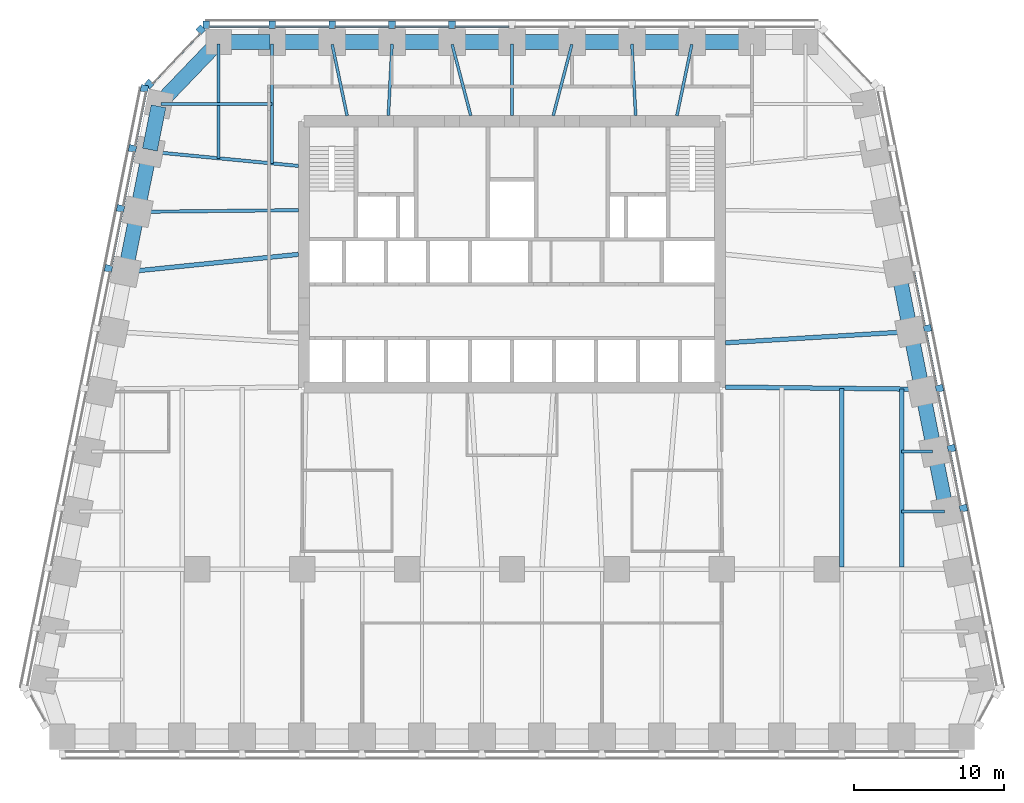
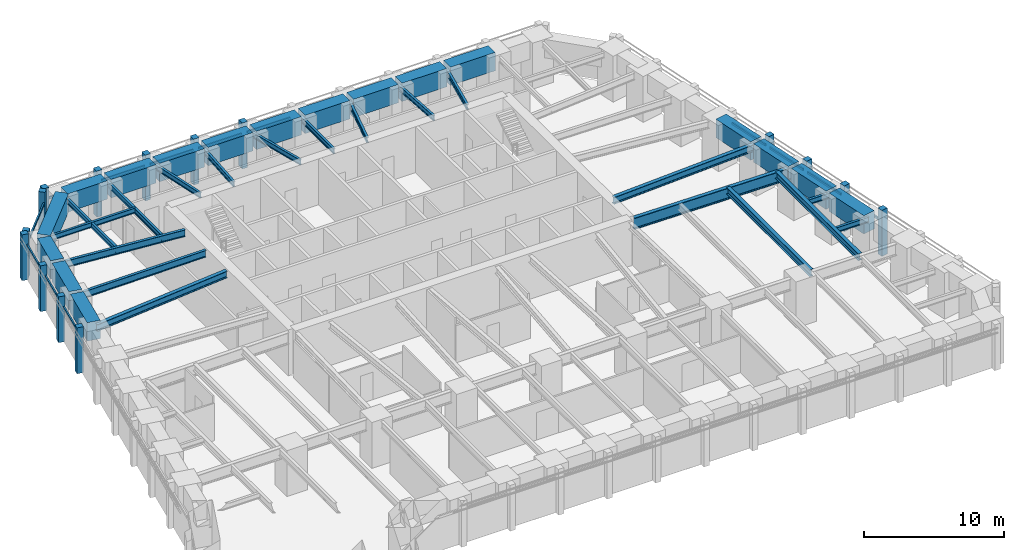
# One storey, part 3 of 9: 36 beams, 28 members, 4 elements without a shape of their own.
"""IFC4 building model written with IfcOpenShell, lengths in metres."""

from ifc_helpers import new_model, si_unit, direction, frame, origin, origin_2d, place, context, subcontext, project, spatial, rectangle, i_section, extrude, material, material_profile, profile_set, type_object, element, aggregate, save


model = new_model("IFC4")

# Units and contexts
model_context = context("Model", 3, precision=1e-05, world=origin(), true_north=direction((0.0, 1.0)))
body_context = subcontext(model_context, "Body", "Model", "MODEL_VIEW")
ifc_project = project(units=[si_unit("LENGTHUNIT", "METRE"), si_unit("AREAUNIT", "SQUARE_METRE"), si_unit("VOLUMEUNIT", "CUBIC_METRE"), si_unit("PLANEANGLEUNIT", "RADIAN"), si_unit("MASSUNIT", "GRAM", prefix="KILO")], contexts=[model_context])

# Site, building, storey
site_placement = place(None, origin())
site = spatial("IfcSite", under=ifc_project, at=site_placement, CompositionType="ELEMENT")
building_placement = place(site_placement, origin())
building = spatial("IfcBuilding", under=site, at=building_placement, Name="Isbrekke Arena Tower", CompositionType="ELEMENT")
storey_placement = place(building_placement, frame((0.0, 0.0, 131.0)))
storey = spatial("IfcBuildingStorey", under=building, at=storey_placement, Name="L29", CompositionType="ELEMENT", Elevation=131.0)

# Beams
ifc_material_1 = material(Name="Steel S355", Category="steel")
ifc_material_profile_1 = material_profile(ifc_material_1, i_section(OverallWidth=0.219970703125, OverallDepth=0.60009765625, WebThickness=0.011962890625, FlangeThickness=0.01904296875, FilletRadius=0.02392578125, at=origin_2d()), Name="IPE 600")
ifc_profile_set_1 = profile_set([ifc_material_profile_1], Name="Steel S355")
beam_type_1 = type_object("IfcBeamType", Name="B1 IPE 600", PredefinedType="BEAM", material=ifc_profile_set_1)
beam_1_placement = place(storey_placement, frame((-24.030517578125, 21.837158203125, 3.550048828125), z_axis=(0.995439798606, -0.095391862082, 0.0), x_axis=(0.095391862082, 0.995439798606, 0.0)))
element("IfcBeam", 1, at=beam_1_placement, inside=storey, type_object=beam_type_1, Name="B1 beam E-W02 L29", PredefinedType="BEAM", context=body_context, shape_type="SweptSolid", body=[
    extrude(i_section(OverallWidth=0.219970703125, OverallDepth=0.60009765625, WebThickness=0.011962890625, FlangeThickness=0.01904296875, FilletRadius=0.02392578125, at=origin_2d()), origin(), (0.0, 0.0, 1.0), 9.825439453125),
])
beam_2_placement = place(storey_placement, frame((-24.83984375, 17.838134765625, 3.550048828125), z_axis=(0.999944260169, 0.010558245831, 0.0), x_axis=(-0.010558245831, 0.999944260169, 0.0)))
element("IfcBeam", 2, at=beam_2_placement, inside=storey, type_object=beam_type_1, Name="B1 beam E-W03 L29", PredefinedType="BEAM", context=body_context, shape_type="SweptSolid", body=[
    extrude(i_section(OverallWidth=0.219970703125, OverallDepth=0.60009765625, WebThickness=0.011962890625, FlangeThickness=0.01904296875, FilletRadius=0.02392578125, at=origin_2d()), origin(), (0.0, 0.0, 1.0), 10.59033203125),
])
ifc_material_2 = material(Name="Steel S355", Category="steel")
ifc_material_profile_2 = material_profile(ifc_material_2, i_section(OverallWidth=0.18994140625, OverallDepth=0.449951171875, WebThickness=0.009521484375, FlangeThickness=0.0146484375, FilletRadius=0.02099609375, at=origin_2d()), Name="IPE 450")
ifc_profile_set_2 = profile_set([ifc_material_profile_2], Name="Steel S355")
beam_type_2 = type_object("IfcBeamType", Name="B2 IPE 450", PredefinedType="BEAM", material=ifc_profile_set_2)
beam_3_placement = place(storey_placement, frame((28.841064453125, -2.161865234375, 3.625), z_axis=(-1.0, 0.0, 0.0), x_axis=(0.0, -1.0, 0.0)))
element("IfcBeam", 3, at=beam_3_placement, inside=storey, type_object=beam_type_2, Name="B2 beam E-E04 L29", PredefinedType="BEAM", context=body_context, shape_type="SweptSolid", body=[
    extrude(i_section(OverallWidth=0.18994140625, OverallDepth=0.449951171875, WebThickness=0.009521484375, FlangeThickness=0.0146484375, FilletRadius=0.02099609375, at=origin_2d()), origin(), (0.0, 0.0, 1.0), 2.841064453125),
])
beam_4_placement = place(storey_placement, frame((28.041015625, 1.838134765625, 3.625), z_axis=(-1.0, 0.0, 0.0), x_axis=(0.0, -1.0, 0.0)))
element("IfcBeam", 4, at=beam_4_placement, inside=storey, type_object=beam_type_2, Name="B2 beam E-E05 L29", PredefinedType="BEAM", context=body_context, shape_type="SweptSolid", body=[
    extrude(i_section(OverallWidth=0.18994140625, OverallDepth=0.449951171875, WebThickness=0.009521484375, FlangeThickness=0.0146484375, FilletRadius=0.02099609375, at=origin_2d()), origin(), (0.0, 0.0, 1.0), 2.041015625),
])
beam_5_placement = place(storey_placement, frame((-23.40283203125, 25.029296875, 3.625), z_axis=(1.0, 0.0, 0.0), x_axis=(0.0, 1.0, 0.0)))
element("IfcBeam", 5, at=beam_5_placement, inside=storey, type_object=beam_type_2, Name="B2 beam E-W01 L29", PredefinedType="BEAM", context=body_context, shape_type="SweptSolid", body=[
    extrude(i_section(OverallWidth=0.18994140625, OverallDepth=0.449951171875, WebThickness=0.009521484375, FlangeThickness=0.0146484375, FilletRadius=0.02099609375, at=origin_2d()), origin(), (0.0, 0.0, 1.0), 7.40283203125),
])
ifc_material_3 = material(Name="Steel S355", Category="steel")
ifc_material_profile_3 = material_profile(ifc_material_3, i_section(OverallWidth=0.18994140625, OverallDepth=0.449951171875, WebThickness=0.009521484375, FlangeThickness=0.0146484375, FilletRadius=0.02099609375, at=origin_2d()), Name="IPE 450")
ifc_profile_set_3 = profile_set([ifc_material_profile_3], Name="Steel S355")
beam_type_3 = type_object("IfcBeamType", Name="B3 IPE 450", PredefinedType="BEAM", material=ifc_profile_set_3)
beam_6_placement = place(storey_placement, frame((-16.0, 29.02490234375, 3.625), z_axis=(0.0, -1.0, 0.0), x_axis=(1.0, 0.0, 0.0)))
element("IfcBeam", 6, at=beam_6_placement, inside=storey, type_object=beam_type_3, Name="B3 beam N-N10 L29", PredefinedType="BEAM", context=body_context, shape_type="SweptSolid", body=[
    extrude(i_section(OverallWidth=0.18994140625, OverallDepth=0.449951171875, WebThickness=0.009521484375, FlangeThickness=0.0146484375, FilletRadius=0.02099609375, at=origin_2d()), origin(), (0.0, 0.0, 1.0), 7.957275390625),
])
beam_7_placement = place(storey_placement, frame((-19.574951171875, 29.02490234375, 3.625), z_axis=(0.0, -1.0, 0.0), x_axis=(1.0, 0.0, 0.0)))
element("IfcBeam", 7, at=beam_7_placement, inside=storey, type_object=beam_type_3, Name="B3 beam N-N11 L29", PredefinedType="BEAM", context=body_context, shape_type="SweptSolid", body=[
    extrude(i_section(OverallWidth=0.18994140625, OverallDepth=0.449951171875, WebThickness=0.009521484375, FlangeThickness=0.0146484375, FilletRadius=0.02099609375, at=origin_2d()), origin(), (0.0, 0.0, 1.0), 7.61474609375),
])
beam_8_placement = place(storey_placement, frame((11.99609375, 29.005859375, 3.625), z_axis=(-0.20499748459, -0.978762499952, 0.0), x_axis=(0.978762499952, -0.20499748459, 0.0)))
element("IfcBeam", 8, at=beam_8_placement, inside=storey, type_object=beam_type_3, Name="B3 beam N-N03 L29", PredefinedType="BEAM", context=body_context, shape_type="SweptSolid", body=[
    extrude(i_section(OverallWidth=0.18994140625, OverallDepth=0.449951171875, WebThickness=0.009521484375, FlangeThickness=0.0146484375, FilletRadius=0.02099609375, at=origin_2d()), origin(), (0.0, 0.0, 1.0), 4.859130859375),
])
beam_9_placement = place(storey_placement, frame((8.000244140625, 29.02001953125, 3.625), z_axis=(0.052287879538, -0.998632053187, 0.0), x_axis=(0.998632053187, 0.052287879538, 0.0)))
element("IfcBeam", 9, at=beam_9_placement, inside=storey, type_object=beam_type_3, Name="B3 beam N-N04 L29", PredefinedType="BEAM", context=body_context, shape_type="SweptSolid", body=[
    extrude(i_section(OverallWidth=0.18994140625, OverallDepth=0.449951171875, WebThickness=0.009521484375, FlangeThickness=0.0146484375, FilletRadius=0.02099609375, at=origin_2d()), origin(), (0.0, 0.0, 1.0), 4.776611328125),
])
beam_10_placement = place(storey_placement, frame((3.993896484375, 29.001708984375, 3.625), z_axis=(-0.253245319824, -0.967402092197, 0.0), x_axis=(0.967402092197, -0.253245319824, 0.0)))
element("IfcBeam", 10, at=beam_10_placement, inside=storey, type_object=beam_type_3, Name="B3 beam N-N05 L29", PredefinedType="BEAM", context=body_context, shape_type="SweptSolid", body=[
    extrude(i_section(OverallWidth=0.18994140625, OverallDepth=0.449951171875, WebThickness=0.009521484375, FlangeThickness=0.0146484375, FilletRadius=0.02099609375, at=origin_2d()), origin(), (0.0, 0.0, 1.0), 4.911865234375),
])
beam_11_placement = place(storey_placement, frame((0.0, 29.02490234375, 3.625), z_axis=(0.0, -1.0, 0.0), x_axis=(1.0, 0.0, 0.0)))
element("IfcBeam", 11, at=beam_11_placement, inside=storey, type_object=beam_type_3, Name="B3 beam N-N06 L29", PredefinedType="BEAM", context=body_context, shape_type="SweptSolid", body=[
    extrude(i_section(OverallWidth=0.18994140625, OverallDepth=0.449951171875, WebThickness=0.009521484375, FlangeThickness=0.0146484375, FilletRadius=0.02099609375, at=origin_2d()), origin(), (0.0, 0.0, 1.0), 4.77490234375),
])
beam_12_placement = place(storey_placement, frame((-3.993896484375, 29.001708984375, 3.625), z_axis=(0.253245319824, -0.967402092197, 0.0), x_axis=(0.967402092197, 0.253245319824, 0.0)))
element("IfcBeam", 12, at=beam_12_placement, inside=storey, type_object=beam_type_3, Name="B3 beam N-N07 L29", PredefinedType="BEAM", context=body_context, shape_type="SweptSolid", body=[
    extrude(i_section(OverallWidth=0.18994140625, OverallDepth=0.449951171875, WebThickness=0.009521484375, FlangeThickness=0.0146484375, FilletRadius=0.02099609375, at=origin_2d()), origin(), (0.0, 0.0, 1.0), 4.911865234375),
])
beam_13_placement = place(storey_placement, frame((-8.000244140625, 29.02001953125, 3.625), z_axis=(-0.052287879538, -0.998632053187, 0.0), x_axis=(0.998632053187, -0.052287879538, 0.0)))
element("IfcBeam", 13, at=beam_13_placement, inside=storey, type_object=beam_type_3, Name="B3 beam N-N08 L29", PredefinedType="BEAM", context=body_context, shape_type="SweptSolid", body=[
    extrude(i_section(OverallWidth=0.18994140625, OverallDepth=0.449951171875, WebThickness=0.009521484375, FlangeThickness=0.0146484375, FilletRadius=0.02099609375, at=origin_2d()), origin(), (0.0, 0.0, 1.0), 4.776611328125),
])
beam_14_placement = place(storey_placement, frame((-11.99609375, 29.005859375, 3.625), z_axis=(0.20499748459, -0.978762499952, 0.0), x_axis=(0.978762499952, 0.20499748459, 0.0)))
element("IfcBeam", 14, at=beam_14_placement, inside=storey, type_object=beam_type_3, Name="B3 beam N-N09 L29", PredefinedType="BEAM", context=body_context, shape_type="SweptSolid", body=[
    extrude(i_section(OverallWidth=0.18994140625, OverallDepth=0.449951171875, WebThickness=0.009521484375, FlangeThickness=0.0146484375, FilletRadius=0.02099609375, at=origin_2d()), origin(), (0.0, 0.0, 1.0), 4.859130859375),
])
ifc_material_4 = material(Name="Steel S355", Category="steel")
ifc_material_profile_4 = material_profile(ifc_material_4, i_section(OverallWidth=0.300048828125, OverallDepth=0.60009765625, WebThickness=0.015380859375, FlangeThickness=0.030029296875, FilletRadius=0.027099609375, at=origin_2d()), Name="HEB 600")
ifc_profile_set_4 = profile_set([ifc_material_profile_4], Name="Steel S355")
beam_type_4 = type_object("IfcBeamType", Name="B7 HEB 600", PredefinedType="BEAM", material=ifc_profile_set_4)
beam_15_placement = place(storey_placement, frame((22.0, -5.84912109375, 3.550048828125), z_axis=(0.0, 1.0, 0.0), x_axis=(-1.0, 0.0, 0.0)))
element("IfcBeam", 15, at=beam_15_placement, inside=storey, type_object=beam_type_4, Name="B7 beam C-M13 L29", PredefinedType="BEAM", context=body_context, shape_type="SweptSolid", body=[
    extrude(i_section(OverallWidth=0.300048828125, OverallDepth=0.60009765625, WebThickness=0.015380859375, FlangeThickness=0.030029296875, FilletRadius=0.027099609375, at=origin_2d()), origin(), (0.0, 0.0, 1.0), 11.91064453125),
])
beam_16_placement = place(storey_placement, frame((26.0, -5.84912109375, 3.550048828125), z_axis=(0.0, 1.0, 0.0), x_axis=(-1.0, 0.0, 0.0)))
element("IfcBeam", 16, at=beam_16_placement, inside=storey, type_object=beam_type_4, Name="B7 beam C-M14 L29", PredefinedType="BEAM", context=body_context, shape_type="SweptSolid", body=[
    extrude(i_section(OverallWidth=0.300048828125, OverallDepth=0.60009765625, WebThickness=0.015380859375, FlangeThickness=0.030029296875, FilletRadius=0.027099609375, at=origin_2d()), origin(), (0.0, 0.0, 1.0), 11.864990234375),
])
beam_17_placement = place(storey_placement, frame((26.431884765625, 9.837646484375, 3.550048828125), z_axis=(-0.998172191876, -0.060434057993, 0.0), x_axis=(0.060434057993, -0.998172191876, 0.0)))
element("IfcBeam", 17, at=beam_17_placement, inside=storey, type_object=beam_type_4, Name="B7 beam E-E07 L29", PredefinedType="BEAM", context=body_context, shape_type="SweptSolid", body=[
    extrude(i_section(OverallWidth=0.300048828125, OverallDepth=0.60009765625, WebThickness=0.015380859375, FlangeThickness=0.030029296875, FilletRadius=0.027099609375, at=origin_2d()), origin(), (0.0, 0.0, 1.0), 12.2041015625),
])
beam_18_placement = place(storey_placement, frame((-25.6259765625, 13.83984375, 3.550048828125), z_axis=(0.994839949319, 0.10145676537, 0.0), x_axis=(-0.10145676537, 0.994839949319, 0.0)))
element("IfcBeam", 18, at=beam_18_placement, inside=storey, type_object=beam_type_4, Name="B7 beam E-W04 L29", PredefinedType="BEAM", context=body_context, shape_type="SweptSolid", body=[
    extrude(i_section(OverallWidth=0.300048828125, OverallDepth=0.60009765625, WebThickness=0.015380859375, FlangeThickness=0.030029296875, FilletRadius=0.027099609375, at=origin_2d()), origin(), (0.0, 0.0, 1.0), 11.43505859375),
])

# Curtain wall, members
ifc_material_5 = material(Name="Glazed aluminium curtain wall", Category="aluminium")
curtain_wall_type = type_object("IfcCurtainWallType", Name="CWM TOWER CURTAIN WALL MID ZONE", PredefinedType="USERDEFINED", material=ifc_material_5)
curtain_wall_1_placement = place(storey_placement, origin())
curtain_wall_1 = element("IfcCurtainWall", 19, at=curtain_wall_1_placement, inside=storey, type_object=curtain_wall_type, Name="CWM curtain wall L29-E", ObjectType="TOWER CURTAIN WALL MID ZONE", PredefinedType="USERDEFINED")
ifc_material_6 = material(Name="Aluminium mullion, pale brick slip cladding", Category="masonry")
ifc_material_profile_5 = material_profile(ifc_material_6, rectangle(XDim=0.449951171875, YDim=0.5, at=origin_2d()), Name="PIER 450X500")
ifc_profile_set_5 = profile_set([ifc_material_profile_5], Name="Aluminium mullion, pale brick slip cladding")
member_type_1 = type_object("IfcMemberType", Name="CWM-M PIER MULLION 450 x 500", PredefinedType="MULLION", material=ifc_profile_set_5)
member_1_placement = place(storey_placement, frame((30.11865234375, -1.936279296875, 0.0), z_axis=(0.0, 0.0, 1.0), x_axis=(-0.196116135138, 0.980580675691, 0.0)))
member_1 = element("IfcMember", 20, at=member_1_placement, type_object=member_type_1, Name="CWM-M mullion 4", PredefinedType="MULLION", context=body_context, shape_type="SweptSolid", body=[
    extrude(rectangle(XDim=0.449951171875, YDim=0.5, at=origin_2d()), origin(), (0.0, 0.0, 1.0), 4.0),
])
member_2_placement = place(storey_placement, frame((29.318603515625, 2.063720703125, 0.0), z_axis=(0.0, 0.0, 1.0), x_axis=(-0.196116135138, 0.980580675691, 0.0)))
member_2 = element("IfcMember", 21, at=member_2_placement, type_object=member_type_1, Name="CWM-M mullion 5", PredefinedType="MULLION", context=body_context, shape_type="SweptSolid", body=[
    extrude(rectangle(XDim=0.449951171875, YDim=0.5, at=origin_2d()), origin(), (0.0, 0.0, 1.0), 4.0),
])
member_3_placement = place(storey_placement, frame((28.518798828125, 6.063720703125, 0.0), z_axis=(0.0, 0.0, 1.0), x_axis=(-0.196116135138, 0.980580675691, 0.0)))
member_3 = element("IfcMember", 22, at=member_3_placement, type_object=member_type_1, Name="CWM-M mullion 6", PredefinedType="MULLION", context=body_context, shape_type="SweptSolid", body=[
    extrude(rectangle(XDim=0.449951171875, YDim=0.5, at=origin_2d()), origin(), (0.0, 0.0, 1.0), 4.0),
])
member_4_placement = place(storey_placement, frame((27.71875, 10.063720703125, 0.0), z_axis=(0.0, 0.0, 1.0), x_axis=(-0.196116135138, 0.980580675691, 0.0)))
member_4 = element("IfcMember", 23, at=member_4_placement, type_object=member_type_1, Name="CWM-M mullion 7", PredefinedType="MULLION", context=body_context, shape_type="SweptSolid", body=[
    extrude(rectangle(XDim=0.449951171875, YDim=0.5, at=origin_2d()), origin(), (0.0, 0.0, 1.0), 4.0),
])

curtain_wall_2_placement = place(storey_placement, origin())
curtain_wall_2 = element("IfcCurtainWall", 24, at=curtain_wall_2_placement, inside=storey, type_object=curtain_wall_type, Name="CWM curtain wall L29-N", ObjectType="TOWER CURTAIN WALL MID ZONE", PredefinedType="USERDEFINED")
member_5_placement = place(storey_placement, frame((-4.0, 30.324951171875, 0.0), z_axis=(0.0, 0.0, 1.0), x_axis=(-1.0, 0.0, 0.0)))
member_5 = element("IfcMember", 25, at=member_5_placement, type_object=member_type_1, Name="CWM-M mullion 7", PredefinedType="MULLION", context=body_context, shape_type="SweptSolid", body=[
    extrude(rectangle(XDim=0.449951171875, YDim=0.5, at=origin_2d()), origin(), (0.0, 0.0, 1.0), 4.0),
])
member_6_placement = place(storey_placement, frame((-8.0, 30.324951171875, 0.0), z_axis=(0.0, 0.0, 1.0), x_axis=(-1.0, 0.0, 0.0)))
member_6 = element("IfcMember", 26, at=member_6_placement, type_object=member_type_1, Name="CWM-M mullion 8", PredefinedType="MULLION", context=body_context, shape_type="SweptSolid", body=[
    extrude(rectangle(XDim=0.449951171875, YDim=0.5, at=origin_2d()), origin(), (0.0, 0.0, 1.0), 4.0),
])
member_7_placement = place(storey_placement, frame((-12.0, 30.324951171875, 0.0), z_axis=(0.0, 0.0, 1.0), x_axis=(-1.0, 0.0, 0.0)))
member_7 = element("IfcMember", 27, at=member_7_placement, type_object=member_type_1, Name="CWM-M mullion 9", PredefinedType="MULLION", context=body_context, shape_type="SweptSolid", body=[
    extrude(rectangle(XDim=0.449951171875, YDim=0.5, at=origin_2d()), origin(), (0.0, 0.0, 1.0), 4.0),
])
member_8_placement = place(storey_placement, frame((-16.0, 30.324951171875, 0.0), z_axis=(0.0, 0.0, 1.0), x_axis=(-1.0, 0.0, 0.0)))
member_8 = element("IfcMember", 28, at=member_8_placement, type_object=member_type_1, Name="CWM-M mullion 10", PredefinedType="MULLION", context=body_context, shape_type="SweptSolid", body=[
    extrude(rectangle(XDim=0.449951171875, YDim=0.5, at=origin_2d()), origin(), (0.0, 0.0, 1.0), 4.0),
])
member_9_placement = place(storey_placement, frame((-20.39990234375, 30.324951171875, 0.0), z_axis=(0.0, 0.0, 1.0), x_axis=(-1.0, 0.0, 0.0)))
member_9 = element("IfcMember", 29, at=member_9_placement, type_object=member_type_1, Name="CWM-M mullion 11", PredefinedType="MULLION", context=body_context, shape_type="SweptSolid", body=[
    extrude(rectangle(XDim=0.449951171875, YDim=0.5, at=origin_2d()), origin(), (0.0, 0.0, 1.0), 4.0),
])

curtain_wall_3_placement = place(storey_placement, origin())
curtain_wall_3 = element("IfcCurtainWall", 30, at=curtain_wall_3_placement, inside=storey, type_object=curtain_wall_type, Name="CWM curtain wall L29-NW", ObjectType="TOWER CURTAIN WALL MID ZONE", PredefinedType="USERDEFINED")
member_10_placement = place(storey_placement, frame((-20.759033203125, 29.985107421875, 0.0), z_axis=(0.0, 0.0, 1.0), x_axis=(-0.68874946192, -0.72499943359, 0.0)))
member_10 = element("IfcMember", 31, at=member_10_placement, type_object=member_type_1, Name="CWM-M mullion 1", PredefinedType="MULLION", context=body_context, shape_type="SweptSolid", body=[
    extrude(rectangle(XDim=0.449951171875, YDim=0.5, at=origin_2d()), origin(), (0.0, 0.0, 1.0), 4.0),
])
member_11_placement = place(storey_placement, frame((-24.207763671875, 26.35498046875, 0.0), z_axis=(0.0, 0.0, 1.0), x_axis=(-0.68874946192, -0.72499943359, 0.0)))
member_11 = element("IfcMember", 32, at=member_11_placement, type_object=member_type_1, Name="CWM-M mullion 2", PredefinedType="MULLION", context=body_context, shape_type="SweptSolid", body=[
    extrude(rectangle(XDim=0.449951171875, YDim=0.5, at=origin_2d()), origin(), (0.0, 0.0, 1.0), 4.0),
])

curtain_wall_4_placement = place(storey_placement, origin())
curtain_wall_4 = element("IfcCurtainWall", 33, at=curtain_wall_4_placement, inside=storey, type_object=curtain_wall_type, Name="CWM curtain wall L29-W", ObjectType="TOWER CURTAIN WALL MID ZONE", PredefinedType="USERDEFINED")
member_12_placement = place(storey_placement, frame((-24.518798828125, 26.063720703125, 0.0), z_axis=(0.0, 0.0, 1.0), x_axis=(-0.196116135138, -0.980580675691, 0.0)))
member_12 = element("IfcMember", 34, at=member_12_placement, type_object=member_type_1, Name="CWM-M mullion 1", PredefinedType="MULLION", context=body_context, shape_type="SweptSolid", body=[
    extrude(rectangle(XDim=0.449951171875, YDim=0.5, at=origin_2d()), origin(), (0.0, 0.0, 1.0), 4.0),
])
member_13_placement = place(storey_placement, frame((-25.318603515625, 22.063720703125, 0.0), z_axis=(0.0, 0.0, 1.0), x_axis=(-0.196116135138, -0.980580675691, 0.0)))
member_13 = element("IfcMember", 35, at=member_13_placement, type_object=member_type_1, Name="CWM-M mullion 2", PredefinedType="MULLION", context=body_context, shape_type="SweptSolid", body=[
    extrude(rectangle(XDim=0.449951171875, YDim=0.5, at=origin_2d()), origin(), (0.0, 0.0, 1.0), 4.0),
])
member_14_placement = place(storey_placement, frame((-26.11865234375, 18.063720703125, 0.0), z_axis=(0.0, 0.0, 1.0), x_axis=(-0.196116135138, -0.980580675691, 0.0)))
member_14 = element("IfcMember", 36, at=member_14_placement, type_object=member_type_1, Name="CWM-M mullion 3", PredefinedType="MULLION", context=body_context, shape_type="SweptSolid", body=[
    extrude(rectangle(XDim=0.449951171875, YDim=0.5, at=origin_2d()), origin(), (0.0, 0.0, 1.0), 4.0),
])
member_15_placement = place(storey_placement, frame((-26.918701171875, 14.063720703125, 0.0), z_axis=(0.0, 0.0, 1.0), x_axis=(-0.196116135138, -0.980580675691, 0.0)))
member_15 = element("IfcMember", 37, at=member_15_placement, type_object=member_type_1, Name="CWM-M mullion 4", PredefinedType="MULLION", context=body_context, shape_type="SweptSolid", body=[
    extrude(rectangle(XDim=0.449951171875, YDim=0.5, at=origin_2d()), origin(), (0.0, 0.0, 1.0), 4.0),
])

# Member
ifc_material_7 = material(Name="Aluminium transom", Category="aluminium")
ifc_material_profile_6 = material_profile(ifc_material_7, rectangle(XDim=0.1201171875, YDim=0.199951171875, at=origin_2d()), Name="TRANSOM 120X200")
ifc_profile_set_6 = profile_set([ifc_material_profile_6], Name="Aluminium transom")
member_type_2 = type_object("IfcMemberType", Name="CWM-T TRANSOM 120 x 200", PredefinedType="USERDEFINED", material=ifc_profile_set_6)
member_16_placement = place(storey_placement, frame((29.927490234375, -1.7451171875, 3.0), z_axis=(-0.196090262229, 0.980585849918, 0.0), x_axis=(-0.980585849918, -0.196090262229, 0.0)))
member_16 = element("IfcMember", 38, at=member_16_placement, type_object=member_type_2, Name="CWM-T transom 4", ObjectType="TRANSOM", PredefinedType="USERDEFINED", context=body_context, shape_type="SweptSolid", body=[
    extrude(rectangle(XDim=0.1201171875, YDim=0.199951171875, at=origin_2d()), origin(), (0.0, 0.0, 1.0), 3.62939453125),
])

member_17_placement = place(storey_placement, frame((29.12744140625, 2.2548828125, 3.0), z_axis=(-0.196090262229, 0.980585849918, 0.0), x_axis=(-0.980585849918, -0.196090262229, 0.0)))
member_17 = element("IfcMember", 39, at=member_17_placement, type_object=member_type_2, Name="CWM-T transom 5", ObjectType="TRANSOM", PredefinedType="USERDEFINED", context=body_context, shape_type="SweptSolid", body=[
    extrude(rectangle(XDim=0.1201171875, YDim=0.199951171875, at=origin_2d()), origin(), (0.0, 0.0, 1.0), 3.62939453125),
])

member_18_placement = place(storey_placement, frame((28.327392578125, 6.2548828125, 3.0), z_axis=(-0.196090262229, 0.980585849918, 0.0), x_axis=(-0.980585849918, -0.196090262229, 0.0)))
member_18 = element("IfcMember", 40, at=member_18_placement, type_object=member_type_2, Name="CWM-T transom 6", ObjectType="TRANSOM", PredefinedType="USERDEFINED", context=body_context, shape_type="SweptSolid", body=[
    extrude(rectangle(XDim=0.1201171875, YDim=0.199951171875, at=origin_2d()), origin(), (0.0, 0.0, 1.0), 3.62939453125),
])

member_19_placement = place(storey_placement, frame((27.527587890625, 10.2548828125, 3.0), z_axis=(-0.196154943734, 0.980572913173, 0.0), x_axis=(-0.980572913173, -0.196154943734, 0.0)))
member_19 = element("IfcMember", 41, at=member_19_placement, type_object=member_type_2, Name="CWM-T transom 7", ObjectType="TRANSOM", PredefinedType="USERDEFINED", context=body_context, shape_type="SweptSolid", body=[
    extrude(rectangle(XDim=0.1201171875, YDim=0.199951171875, at=origin_2d()), origin(), (0.0, 0.0, 1.0), 3.62939453125),
])

aggregate(curtain_wall_1, [member_1, member_2, member_3, member_4, member_16, member_17, member_18, member_19])

member_20_placement = place(storey_placement, frame((-0.22509765625, 30.175048828125, 3.0), z_axis=(-1.0, 0.0, 0.0), x_axis=(0.0, -1.0, 0.0)))
member_20 = element("IfcMember", 42, at=member_20_placement, type_object=member_type_2, Name="CWM-T transom 6", ObjectType="TRANSOM", PredefinedType="USERDEFINED", context=body_context, shape_type="SweptSolid", body=[
    extrude(rectangle(XDim=0.1201171875, YDim=0.199951171875, at=origin_2d()), origin(), (0.0, 0.0, 1.0), 3.5498046875),
])

member_21_placement = place(storey_placement, frame((-4.22509765625, 30.175048828125, 3.0), z_axis=(-1.0, 0.0, 0.0), x_axis=(0.0, -1.0, 0.0)))
member_21 = element("IfcMember", 43, at=member_21_placement, type_object=member_type_2, Name="CWM-T transom 7", ObjectType="TRANSOM", PredefinedType="USERDEFINED", context=body_context, shape_type="SweptSolid", body=[
    extrude(rectangle(XDim=0.1201171875, YDim=0.199951171875, at=origin_2d()), origin(), (0.0, 0.0, 1.0), 3.5498046875),
])

member_22_placement = place(storey_placement, frame((-8.22509765625, 30.175048828125, 3.0), z_axis=(-1.0, 0.0, 0.0), x_axis=(0.0, -1.0, 0.0)))
member_22 = element("IfcMember", 44, at=member_22_placement, type_object=member_type_2, Name="CWM-T transom 8", ObjectType="TRANSOM", PredefinedType="USERDEFINED", context=body_context, shape_type="SweptSolid", body=[
    extrude(rectangle(XDim=0.1201171875, YDim=0.199951171875, at=origin_2d()), origin(), (0.0, 0.0, 1.0), 3.5498046875),
])

member_23_placement = place(storey_placement, frame((-12.22509765625, 30.175048828125, 3.0), z_axis=(-1.0, 0.0, 0.0), x_axis=(0.0, -1.0, 0.0)))
member_23 = element("IfcMember", 45, at=member_23_placement, type_object=member_type_2, Name="CWM-T transom 9", ObjectType="TRANSOM", PredefinedType="USERDEFINED", context=body_context, shape_type="SweptSolid", body=[
    extrude(rectangle(XDim=0.1201171875, YDim=0.199951171875, at=origin_2d()), origin(), (0.0, 0.0, 1.0), 3.5498046875),
])

member_24_placement = place(storey_placement, frame((-16.22509765625, 30.175048828125, 3.0), z_axis=(-1.0, 0.0, 0.0), x_axis=(0.0, -1.0, 0.0)))
member_24 = element("IfcMember", 46, at=member_24_placement, type_object=member_type_2, Name="CWM-T transom 10", ObjectType="TRANSOM", PredefinedType="USERDEFINED", context=body_context, shape_type="SweptSolid", body=[
    extrude(rectangle(XDim=0.1201171875, YDim=0.199951171875, at=origin_2d()), origin(), (0.0, 0.0, 1.0), 3.949951171875),
])

aggregate(curtain_wall_2, [member_5, member_6, member_7, member_8, member_9, member_20, member_21, member_22, member_23, member_24])

member_25_placement = place(storey_placement, frame((-20.80517578125, 29.71875, 3.0), z_axis=(-0.688739606035, -0.725008796552, 0.0), x_axis=(0.725008796552, -0.688739606035, 0.0)))
member_25 = element("IfcMember", 47, at=member_25_placement, type_object=member_type_2, Name="CWM-T transom 1", ObjectType="TRANSOM", PredefinedType="USERDEFINED", context=body_context, shape_type="SweptSolid", body=[
    extrude(rectangle(XDim=0.1201171875, YDim=0.199951171875, at=origin_2d()), origin(), (0.0, 0.0, 1.0), 4.55712890625),
])

aggregate(curtain_wall_3, [member_10, member_11, member_25])

member_26_placement = place(storey_placement, frame((-24.415771484375, 25.813720703125, 3.0), z_axis=(-0.196090262229, -0.980585849918, 0.0), x_axis=(0.980585849918, -0.196090262229, 0.0)))
member_26 = element("IfcMember", 48, at=member_26_placement, type_object=member_type_2, Name="CWM-T transom 1", ObjectType="TRANSOM", PredefinedType="USERDEFINED", context=body_context, shape_type="SweptSolid", body=[
    extrude(rectangle(XDim=0.1201171875, YDim=0.199951171875, at=origin_2d()), origin(), (0.0, 0.0, 1.0), 3.62939453125),
])

member_27_placement = place(storey_placement, frame((-25.2158203125, 21.813720703125, 3.0), z_axis=(-0.196090262229, -0.980585849918, 0.0), x_axis=(0.980585849918, -0.196090262229, 0.0)))
member_27 = element("IfcMember", 49, at=member_27_placement, type_object=member_type_2, Name="CWM-T transom 2", ObjectType="TRANSOM", PredefinedType="USERDEFINED", context=body_context, shape_type="SweptSolid", body=[
    extrude(rectangle(XDim=0.1201171875, YDim=0.199951171875, at=origin_2d()), origin(), (0.0, 0.0, 1.0), 3.62939453125),
])

member_28_placement = place(storey_placement, frame((-26.015625, 17.813720703125, 3.0), z_axis=(-0.196154943734, -0.980572913173, 0.0), x_axis=(0.980572913173, -0.196154943734, 0.0)))
member_28 = element("IfcMember", 50, at=member_28_placement, type_object=member_type_2, Name="CWM-T transom 3", ObjectType="TRANSOM", PredefinedType="USERDEFINED", context=body_context, shape_type="SweptSolid", body=[
    extrude(rectangle(XDim=0.1201171875, YDim=0.199951171875, at=origin_2d()), origin(), (0.0, 0.0, 1.0), 3.62939453125),
])

aggregate(curtain_wall_4, [member_12, member_13, member_14, member_15, member_26, member_27, member_28])

# Beams
ifc_material_8 = material(Name="Steel S355", Category="steel")
ifc_material_profile_7 = material_profile(ifc_material_8, i_section(OverallWidth=0.302001953125, OverallDepth=1.008056640625, WebThickness=0.02099609375, FlangeThickness=0.0400390625, FilletRadius=0.030029296875, at=origin_2d()), Name="HEM 1000")
ifc_profile_set_7 = profile_set([ifc_material_profile_7], Name="Steel S355")
beam_type_5 = type_object("IfcBeamType", Name="G2 HEM 1000", PredefinedType="BEAM", material=ifc_profile_set_7)
beam_19_placement = place(storey_placement, frame((14.25, 6.14990234375, 3.345947265625), z_axis=(0.999934928157, -0.011407867963, 0.0), x_axis=(0.011407867963, 0.999934928157, 0.0)))
element("IfcBeam", 51, at=beam_19_placement, inside=storey, type_object=beam_type_5, Name="G2 beam G2-E L29", PredefinedType="BEAM", context=body_context, shape_type="SweptSolid", body=[
    extrude(i_section(OverallWidth=0.302001953125, OverallDepth=1.008056640625, WebThickness=0.02099609375, FlangeThickness=0.0400390625, FilletRadius=0.030029296875, at=origin_2d()), origin(), (0.0, 0.0, 1.0), 13.140380859375),
])
ifc_material_9 = material(Name="Concrete B80 (C80/95)", Category="concrete")
ifc_material_profile_8 = material_profile(ifc_material_9, rectangle(XDim=1.0, YDim=1.60009765625, at=origin_2d()), Name="RC 1000x1600")
ifc_profile_set_8 = profile_set([ifc_material_profile_8], Name="Concrete B80 (C80/95)")
beam_type_6 = type_object("IfcBeamType", Name="SB2 RC 1000 x 1600", PredefinedType="SPANDREL", material=ifc_profile_set_8)
for number, where, z_axis, x_axis, name in (
    (52, (28.961669921875, -2.0146484375, 3.199951171875), (-0.196128558387, 0.980578190959, 0.0), (-0.980578190959, -0.196128558387, 0.0), "SB2 spandrel E04-E05 L29"),
    (53, (28.16162109375, 1.9853515625, 3.199951171875), (-0.196128558387, 0.980578190959, 0.0), (-0.980578190959, -0.196128558387, 0.0), "SB2 spandrel E05-E06 L29"),
    (54, (27.361572265625, 5.9853515625, 3.199951171875), (-0.196128558387, 0.980578190959, 0.0), (-0.980578190959, -0.196128558387, 0.0), "SB2 spandrel E06-E07 L29"),
):
    element("IfcBeam", number, at=place(storey_placement, frame(where, z_axis=z_axis, x_axis=x_axis)), inside=storey, type_object=beam_type_6, Name=name, PredefinedType="SPANDREL", context=body_context, shape_type="SweptSolid", body=[
        extrude(rectangle(XDim=1.0, YDim=1.60009765625, at=origin_2d()), origin(), (0.0, 0.0, 1.0), 3.779296875),
    ])
beam_20_placement = place(storey_placement, frame((26.5615234375, 9.9853515625, 3.199951171875), z_axis=(-0.1960664412, 0.980590613169, 0.0), x_axis=(-0.980590613169, -0.1960664412, 0.0)))
element("IfcBeam", 55, at=beam_20_placement, inside=storey, type_object=beam_type_6, Name="SB2 spandrel E07-E08 L29", PredefinedType="SPANDREL", context=body_context, shape_type="SweptSolid", body=[
    extrude(rectangle(XDim=1.0, YDim=1.60009765625, at=origin_2d()), origin(), (0.0, 0.0, 1.0), 3.779052734375),
])
for number, where, z_axis, x_axis, name in (
    (56, (15.85009765625, 29.175048828125, 3.199951171875), (-1.0, 0.0, 0.0), (0.0, -1.0, 0.0), "SB2 spandrel N02-N03 L29"),
    (57, (11.85009765625, 29.175048828125, 3.199951171875), (-1.0, 0.0, 0.0), (0.0, -1.0, 0.0), "SB2 spandrel N03-N04 L29"),
    (58, (7.85009765625, 29.175048828125, 3.199951171875), (-1.0, 0.0, 0.0), (0.0, -1.0, 0.0), "SB2 spandrel N04-N05 L29"),
    (59, (3.85009765625, 29.175048828125, 3.199951171875), (-1.0, 0.0, 0.0), (0.0, -1.0, 0.0), "SB2 spandrel N05-N06 L29"),
    (60, (-0.14990234375, 29.175048828125, 3.199951171875), (-1.0, 0.0, 0.0), (0.0, -1.0, 0.0), "SB2 spandrel N06-N07 L29"),
    (61, (-4.14990234375, 29.175048828125, 3.199951171875), (-1.0, 0.0, 0.0), (0.0, -1.0, 0.0), "SB2 spandrel N07-N08 L29"),
    (62, (-8.14990234375, 29.175048828125, 3.199951171875), (-1.0, 0.0, 0.0), (0.0, -1.0, 0.0), "SB2 spandrel N08-N09 L29"),
    (63, (-12.14990234375, 29.175048828125, 3.199951171875), (-1.0, 0.0, 0.0), (0.0, -1.0, 0.0), "SB2 spandrel N09-N10 L29"),
):
    element("IfcBeam", number, at=place(storey_placement, frame(where, z_axis=z_axis, x_axis=x_axis)), inside=storey, type_object=beam_type_6, Name=name, PredefinedType="SPANDREL", context=body_context, shape_type="SweptSolid", body=[
        extrude(rectangle(XDim=1.0, YDim=1.60009765625, at=origin_2d()), origin(), (0.0, 0.0, 1.0), 3.7001953125),
    ])
beam_21_placement = place(storey_placement, frame((-16.14990234375, 29.175048828125, 3.199951171875), z_axis=(-1.0, 0.0, 0.0), x_axis=(0.0, -1.0, 0.0)))
element("IfcBeam", 64, at=beam_21_placement, inside=storey, type_object=beam_type_6, Name="SB2 spandrel N10-N11 L29", PredefinedType="SPANDREL", context=body_context, shape_type="SweptSolid", body=[
    extrude(rectangle(XDim=1.0, YDim=1.60009765625, at=origin_2d()), origin(), (0.0, 0.0, 1.0), 3.275146484375),
])
beam_22_placement = place(storey_placement, frame((-19.678955078125, 29.066650390625, 3.199951171875), z_axis=(-0.692339547635, -0.721571861134, 0.0), x_axis=(0.721571861134, -0.692339547635, 0.0)))
element("IfcBeam", 65, at=beam_22_placement, inside=storey, type_object=beam_type_6, Name="SB2 spandrel N11-W01 L29", PredefinedType="SPANDREL", context=body_context, shape_type="SweptSolid", body=[
    extrude(rectangle(XDim=1.0, YDim=1.60009765625, at=origin_2d()), origin(), (0.0, 0.0, 1.0), 5.4453125),
])
beam_23_placement = place(storey_placement, frame((-23.582275390625, 24.882080078125, 3.199951171875), z_axis=(-0.196116135138, -0.980580675691, 0.0), x_axis=(0.980580675691, -0.196116135138, 0.0)))
element("IfcBeam", 66, at=beam_23_placement, inside=storey, type_object=beam_type_6, Name="SB2 spandrel W01-W02 L29", PredefinedType="SPANDREL", context=body_context, shape_type="SweptSolid", body=[
    extrude(rectangle(XDim=1.0, YDim=1.60009765625, at=origin_2d()), origin(), (0.0, 0.0, 1.0), 2.9541015625),
])
for number, where, z_axis, x_axis, name in (
    (67, (-24.220458984375, 21.691162109375, 3.199951171875), (-0.196128558387, -0.980578190959, 0.0), (0.980578190959, -0.196128558387, 0.0), "SB2 spandrel W02-W03 L29"),
    (68, (-25.0205078125, 17.691162109375, 3.199951171875), (-0.196128558387, -0.980578190959, 0.0), (0.980578190959, -0.196128558387, 0.0), "SB2 spandrel W03-W04 L29"),
):
    element("IfcBeam", number, at=place(storey_placement, frame(where, z_axis=z_axis, x_axis=x_axis)), inside=storey, type_object=beam_type_6, Name=name, PredefinedType="SPANDREL", context=body_context, shape_type="SweptSolid", body=[
        extrude(rectangle(XDim=1.0, YDim=1.60009765625, at=origin_2d()), origin(), (0.0, 0.0, 1.0), 3.779296875),
    ])

save(model, "model.ifc")
